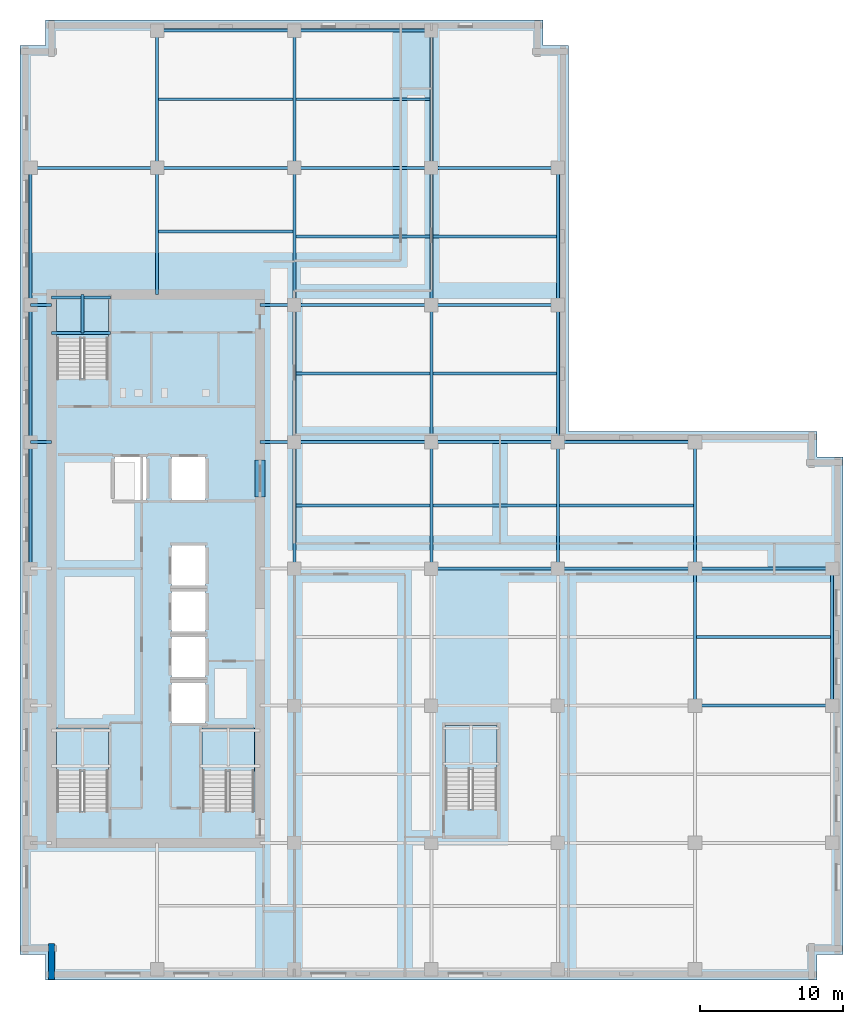
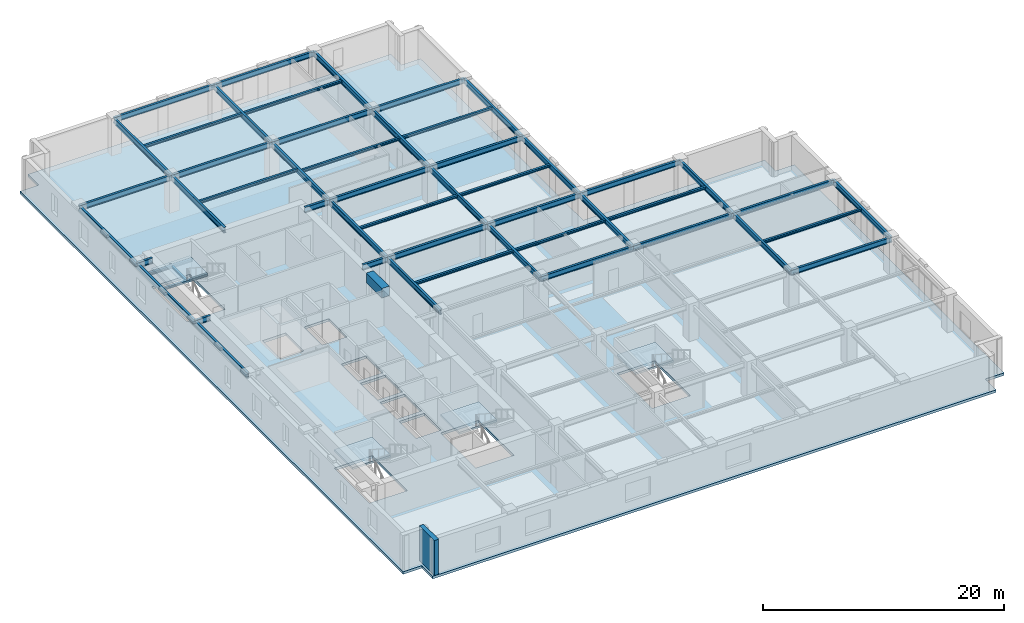
# One storey, part 2 of 12: 53 beams, 5 slabs, 1 wall, 4 elements without a shape of their own.
"""IFC4 building model written with IfcOpenShell, lengths in metres."""

from ifc_helpers import new_model, si_unit, direction, frame, frame_2d, origin, origin_2d, place, context, subcontext, project, spatial, polyline, rectangle, i_section, outline, extrude, material, layer, layer_set, material_profile, profile_set, type_object, element, aggregate, save


model = new_model("IFC4")

# Units and contexts
model_context = context("Model", 3, precision=1e-05, world=origin(), true_north=direction((0.0, 1.0)))
body_context = subcontext(model_context, "Body", "Model", "MODEL_VIEW")
ifc_project = project(units=[si_unit("LENGTHUNIT", "METRE"), si_unit("AREAUNIT", "SQUARE_METRE"), si_unit("VOLUMEUNIT", "CUBIC_METRE"), si_unit("PLANEANGLEUNIT", "RADIAN"), si_unit("MASSUNIT", "GRAM", prefix="KILO")], contexts=[model_context])

# Site, building, storey
site_placement = place(None, origin())
site = spatial("IfcSite", under=ifc_project, at=site_placement, CompositionType="ELEMENT")
building_placement = place(site_placement, origin())
building = spatial("IfcBuilding", under=site, at=building_placement, Name="Norrvale University Quadrangle", CompositionType="ELEMENT")
storey_placement = place(building_placement, frame((0.0, 0.0, 186.39990234375)))
storey = spatial("IfcBuildingStorey", under=building, at=storey_placement, Name="L47", CompositionType="ELEMENT", Elevation=186.39990234375)

# Beams
ifc_material_1 = material(Name="Concrete C80/95", Category="concrete")
ifc_material_profile_1 = material_profile(ifc_material_1, rectangle(XDim=0.699951171875, YDim=0.949951171875, at=origin_2d()), Name="Concrete C80/95")
ifc_profile_set_1 = profile_set([ifc_material_profile_1], Name="Concrete C80/95")
beam_type_1 = type_object("IfcBeamType", Name="Beam Core Link 700x950", PredefinedType="LINTEL", material=ifc_profile_set_1)
beam_1_placement = place(storey_placement, frame((16.800048828125, 33.800048828125, 3.065185546875), z_axis=(0.0, 1.0, 0.0), x_axis=(-1.0, 0.0, 0.0)))
element("IfcBeam", 1, at=beam_1_placement, inside=storey, type_object=beam_type_1, Name="Core Coupling Lintel Beam L47-2", PredefinedType="LINTEL", context=body_context, shape_type="SweptSolid", body=[
    extrude(rectangle(XDim=0.699951171875, YDim=0.949951171875, at=origin_2d()), origin(), (0.0, 0.0, 1.0), 2.599853515625),
])
ifc_material_2 = material(Name="Steel 350W", Category="steel")
ifc_material_profile_2 = material_profile(ifc_material_2, i_section(OverallWidth=0.208984375, OverallDepth=0.532958984375, WebThickness=0.01025390625, FlangeThickness=0.015625, FilletRadius=0.013916015625, at=origin_2d()), Name="Steel 350W")
ifc_profile_set_2 = profile_set([ifc_material_profile_2], Name="Steel 350W")
beam_type_2 = type_object("IfcBeamType", Name="Beam Floor W530x92", PredefinedType="JOIST", material=ifc_profile_set_2)
beam_2_placement = place(storey_placement, frame((47.25, 19.199951171875, 3.273681640625), z_axis=(1.0, 0.0, 0.0), x_axis=(0.0, 1.0, 0.0)))
element("IfcBeam", 2, at=beam_2_placement, inside=storey, type_object=beam_type_2, Name="Beam Floor W530x92 BM-L47-GX012", PredefinedType="JOIST", context=body_context, shape_type="SweptSolid", body=[
    extrude(i_section(OverallWidth=0.208984375, OverallDepth=0.532958984375, WebThickness=0.01025390625, FlangeThickness=0.015625, FilletRadius=0.013916015625, at=origin_2d()), origin(), (0.0, 0.0, 1.0), 9.60009765625),
])
beam_3_placement = place(storey_placement, frame((28.800048828125, 28.800048828125, 3.273681640625), z_axis=(1.0, 0.0, 0.0), x_axis=(0.0, 1.0, 0.0)))
element("IfcBeam", 3, at=beam_3_placement, inside=storey, type_object=beam_type_2, Name="Beam Floor W530x92 BM-L47-GX014", PredefinedType="JOIST", context=body_context, shape_type="SweptSolid", body=[
    extrude(i_section(OverallWidth=0.208984375, OverallDepth=0.532958984375, WebThickness=0.01025390625, FlangeThickness=0.015625, FilletRadius=0.013916015625, at=origin_2d()), origin(), (0.0, 0.0, 1.0), 8.849853515625),
])
for number, where, z_axis, x_axis, name in (
    (4, (37.64990234375, 28.800048828125, 3.273681640625), (1.0, 0.0, 0.0), (0.0, 1.0, 0.0), "Beam Floor W530x92 BM-L47-GX015"),
    (5, (47.25, 28.800048828125, 3.273681640625), (1.0, 0.0, 0.0), (0.0, 1.0, 0.0), "Beam Floor W530x92 BM-L47-GX016"),
    (6, (19.199951171875, 37.64990234375, 3.273681640625), (1.0, 0.0, 0.0), (0.0, 1.0, 0.0), "Beam Floor W530x92 BM-L47-GX017"),
):
    element("IfcBeam", number, at=place(storey_placement, frame(where, z_axis=z_axis, x_axis=x_axis)), inside=storey, type_object=beam_type_2, Name=name, PredefinedType="JOIST", context=body_context, shape_type="SweptSolid", body=[
        extrude(i_section(OverallWidth=0.208984375, OverallDepth=0.532958984375, WebThickness=0.01025390625, FlangeThickness=0.015625, FilletRadius=0.013916015625, at=origin_2d()), origin(), (0.0, 0.0, 1.0), 9.60009765625),
    ])
beam_4_placement = place(storey_placement, frame((28.800048828125, 37.64990234375, 3.273681640625), z_axis=(1.0, 0.0, 0.0), x_axis=(0.0, 1.0, 0.0)))
element("IfcBeam", 7, at=beam_4_placement, inside=storey, type_object=beam_type_2, Name="Beam Floor W530x92 BM-L47-GX018", PredefinedType="JOIST", context=body_context, shape_type="SweptSolid", body=[
    extrude(i_section(OverallWidth=0.208984375, OverallDepth=0.532958984375, WebThickness=0.01025390625, FlangeThickness=0.015625, FilletRadius=0.013916015625, at=origin_2d()), origin(), (0.0, 0.0, 1.0), 8.849853515625),
])
for number, where, z_axis, x_axis, name in (
    (8, (37.64990234375, 37.64990234375, 3.273681640625), (1.0, 0.0, 0.0), (0.0, 1.0, 0.0), "Beam Floor W530x92 BM-L47-GX019"),
    (9, (19.199951171875, 47.25, 3.273681640625), (1.0, 0.0, 0.0), (0.0, 1.0, 0.0), "Beam Floor W530x92 BM-L47-GX020"),
):
    element("IfcBeam", number, at=place(storey_placement, frame(where, z_axis=z_axis, x_axis=x_axis)), inside=storey, type_object=beam_type_2, Name=name, PredefinedType="JOIST", context=body_context, shape_type="SweptSolid", body=[
        extrude(i_section(OverallWidth=0.208984375, OverallDepth=0.532958984375, WebThickness=0.01025390625, FlangeThickness=0.015625, FilletRadius=0.013916015625, at=origin_2d()), origin(), (0.0, 0.0, 1.0), 9.60009765625),
    ])
beam_5_placement = place(storey_placement, frame((28.800048828125, 47.25, 3.273681640625), z_axis=(1.0, 0.0, 0.0), x_axis=(0.0, 1.0, 0.0)))
element("IfcBeam", 10, at=beam_5_placement, inside=storey, type_object=beam_type_2, Name="Beam Floor W530x92 BM-L47-GX021", PredefinedType="JOIST", context=body_context, shape_type="SweptSolid", body=[
    extrude(i_section(OverallWidth=0.208984375, OverallDepth=0.532958984375, WebThickness=0.01025390625, FlangeThickness=0.015625, FilletRadius=0.013916015625, at=origin_2d()), origin(), (0.0, 0.0, 1.0), 8.849853515625),
])
beam_6_placement = place(storey_placement, frame((0.75, 56.85009765625, 3.273681640625), z_axis=(1.0, 0.0, 0.0), x_axis=(0.0, 1.0, 0.0)))
element("IfcBeam", 11, at=beam_6_placement, inside=storey, type_object=beam_type_2, Name="Beam Floor W530x92 BM-L47-GX022", PredefinedType="JOIST", context=body_context, shape_type="SweptSolid", body=[
    extrude(i_section(OverallWidth=0.208984375, OverallDepth=0.532958984375, WebThickness=0.01025390625, FlangeThickness=0.015625, FilletRadius=0.013916015625, at=origin_2d()), origin(), (0.0, 0.0, 1.0), 8.85009765625),
])
beam_7_placement = place(storey_placement, frame((9.60009765625, 56.85009765625, 3.273681640625), z_axis=(1.0, 0.0, 0.0), x_axis=(0.0, 1.0, 0.0)))
element("IfcBeam", 12, at=beam_7_placement, inside=storey, type_object=beam_type_2, Name="Beam Floor W530x92 BM-L47-GX023", PredefinedType="JOIST", context=body_context, shape_type="SweptSolid", body=[
    extrude(i_section(OverallWidth=0.208984375, OverallDepth=0.532958984375, WebThickness=0.01025390625, FlangeThickness=0.015625, FilletRadius=0.013916015625, at=origin_2d()), origin(), (0.0, 0.0, 1.0), 9.599853515625),
])
beam_8_placement = place(storey_placement, frame((19.199951171875, 56.85009765625, 3.273681640625), z_axis=(1.0, 0.0, 0.0), x_axis=(0.0, 1.0, 0.0)))
element("IfcBeam", 13, at=beam_8_placement, inside=storey, type_object=beam_type_2, Name="Beam Floor W530x92 BM-L47-GX024", PredefinedType="JOIST", context=body_context, shape_type="SweptSolid", body=[
    extrude(i_section(OverallWidth=0.208984375, OverallDepth=0.532958984375, WebThickness=0.01025390625, FlangeThickness=0.015625, FilletRadius=0.013916015625, at=origin_2d()), origin(), (0.0, 0.0, 1.0), 9.60009765625),
])
beam_9_placement = place(storey_placement, frame((28.800048828125, 56.85009765625, 3.273681640625), z_axis=(1.0, 0.0, 0.0), x_axis=(0.0, 1.0, 0.0)))
element("IfcBeam", 14, at=beam_9_placement, inside=storey, type_object=beam_type_2, Name="Beam Floor W530x92 BM-L47-GX025", PredefinedType="JOIST", context=body_context, shape_type="SweptSolid", body=[
    extrude(i_section(OverallWidth=0.208984375, OverallDepth=0.532958984375, WebThickness=0.01025390625, FlangeThickness=0.015625, FilletRadius=0.013916015625, at=origin_2d()), origin(), (0.0, 0.0, 1.0), 8.849853515625),
])
beam_10_placement = place(storey_placement, frame((9.60009765625, 66.449951171875, 3.273681640625), z_axis=(1.0, 0.0, 0.0), x_axis=(0.0, 1.0, 0.0)))
element("IfcBeam", 15, at=beam_10_placement, inside=storey, type_object=beam_type_2, Name="Beam Floor W530x92 BM-L47-GX026", PredefinedType="JOIST", context=body_context, shape_type="SweptSolid", body=[
    extrude(i_section(OverallWidth=0.208984375, OverallDepth=0.532958984375, WebThickness=0.01025390625, FlangeThickness=0.015625, FilletRadius=0.013916015625, at=origin_2d()), origin(), (0.0, 0.0, 1.0), 9.599853515625),
])
beam_11_placement = place(storey_placement, frame((19.199951171875, 66.449951171875, 3.273681640625), z_axis=(1.0, 0.0, 0.0), x_axis=(0.0, 1.0, 0.0)))
element("IfcBeam", 16, at=beam_11_placement, inside=storey, type_object=beam_type_2, Name="Beam Floor W530x92 BM-L47-GX027", PredefinedType="JOIST", context=body_context, shape_type="SweptSolid", body=[
    extrude(i_section(OverallWidth=0.208984375, OverallDepth=0.532958984375, WebThickness=0.01025390625, FlangeThickness=0.015625, FilletRadius=0.013916015625, at=origin_2d()), origin(), (0.0, 0.0, 1.0), 9.60009765625),
])
beam_12_placement = place(storey_placement, frame((0.75, 28.800048828125, 3.273681640625), z_axis=(0.0, 1.0, 0.0), x_axis=(-1.0, 0.0, 0.0)))
element("IfcBeam", 17, at=beam_12_placement, inside=storey, type_object=beam_type_2, Name="Beam Floor W530x92 BM-L47-GY030", PredefinedType="JOIST", context=body_context, shape_type="SweptSolid", body=[
    extrude(i_section(OverallWidth=0.208984375, OverallDepth=0.532958984375, WebThickness=0.01025390625, FlangeThickness=0.015625, FilletRadius=0.013916015625, at=origin_2d()), origin(), (0.0, 0.0, 1.0), 8.849853515625),
])
for number, where, z_axis, x_axis, name in (
    (18, (0.75, 37.64990234375, 3.273681640625), (0.0, 1.0, 0.0), (-1.0, 0.0, 0.0), "Beam Floor W530x92 BM-L47-GY031"),
    (19, (0.75, 47.25, 3.273681640625), (0.0, 1.0, 0.0), (-1.0, 0.0, 0.0), "Beam Floor W530x92 BM-L47-GY032"),
):
    element("IfcBeam", number, at=place(storey_placement, frame(where, z_axis=z_axis, x_axis=x_axis)), inside=storey, type_object=beam_type_2, Name=name, PredefinedType="JOIST", context=body_context, shape_type="SweptSolid", body=[
        extrude(i_section(OverallWidth=0.208984375, OverallDepth=0.532958984375, WebThickness=0.01025390625, FlangeThickness=0.015625, FilletRadius=0.013916015625, at=origin_2d()), origin(), (0.0, 0.0, 1.0), 9.60009765625),
    ])
beam_13_placement = place(storey_placement, frame((9.60009765625, 56.85009765625, 3.273681640625), z_axis=(0.0, 1.0, 0.0), x_axis=(-1.0, 0.0, 0.0)))
element("IfcBeam", 20, at=beam_13_placement, inside=storey, type_object=beam_type_2, Name="Beam Floor W530x92 BM-L47-GY033", PredefinedType="JOIST", context=body_context, shape_type="SweptSolid", body=[
    extrude(i_section(OverallWidth=0.208984375, OverallDepth=0.532958984375, WebThickness=0.01025390625, FlangeThickness=0.015625, FilletRadius=0.013916015625, at=origin_2d()), origin(), (0.0, 0.0, 1.0), 9.599853515625),
])
beam_14_placement = place(storey_placement, frame((19.199951171875, 28.800048828125, 3.273681640625), z_axis=(0.0, 1.0, 0.0), x_axis=(-1.0, 0.0, 0.0)))
element("IfcBeam", 21, at=beam_14_placement, inside=storey, type_object=beam_type_2, Name="Beam Floor W530x92 BM-L47-GY037", PredefinedType="JOIST", context=body_context, shape_type="SweptSolid", body=[
    extrude(i_section(OverallWidth=0.208984375, OverallDepth=0.532958984375, WebThickness=0.01025390625, FlangeThickness=0.015625, FilletRadius=0.013916015625, at=origin_2d()), origin(), (0.0, 0.0, 1.0), 8.849853515625),
])
for number, where, z_axis, x_axis, name in (
    (22, (19.199951171875, 37.64990234375, 3.273681640625), (0.0, 1.0, 0.0), (-1.0, 0.0, 0.0), "Beam Floor W530x92 BM-L47-GY038"),
    (23, (19.199951171875, 47.25, 3.273681640625), (0.0, 1.0, 0.0), (-1.0, 0.0, 0.0), "Beam Floor W530x92 BM-L47-GY039"),
):
    element("IfcBeam", number, at=place(storey_placement, frame(where, z_axis=z_axis, x_axis=x_axis)), inside=storey, type_object=beam_type_2, Name=name, PredefinedType="JOIST", context=body_context, shape_type="SweptSolid", body=[
        extrude(i_section(OverallWidth=0.208984375, OverallDepth=0.532958984375, WebThickness=0.01025390625, FlangeThickness=0.015625, FilletRadius=0.013916015625, at=origin_2d()), origin(), (0.0, 0.0, 1.0), 9.60009765625),
    ])
beam_15_placement = place(storey_placement, frame((19.199951171875, 56.85009765625, 3.273681640625), z_axis=(0.0, 1.0, 0.0), x_axis=(-1.0, 0.0, 0.0)))
element("IfcBeam", 24, at=beam_15_placement, inside=storey, type_object=beam_type_2, Name="Beam Floor W530x92 BM-L47-GY040", PredefinedType="JOIST", context=body_context, shape_type="SweptSolid", body=[
    extrude(i_section(OverallWidth=0.208984375, OverallDepth=0.532958984375, WebThickness=0.01025390625, FlangeThickness=0.015625, FilletRadius=0.013916015625, at=origin_2d()), origin(), (0.0, 0.0, 1.0), 9.599853515625),
])
beam_16_placement = place(storey_placement, frame((28.800048828125, 28.800048828125, 3.273681640625), z_axis=(0.0, 1.0, 0.0), x_axis=(-1.0, 0.0, 0.0)))
element("IfcBeam", 25, at=beam_16_placement, inside=storey, type_object=beam_type_2, Name="Beam Floor W530x92 BM-L47-GY044", PredefinedType="JOIST", context=body_context, shape_type="SweptSolid", body=[
    extrude(i_section(OverallWidth=0.208984375, OverallDepth=0.532958984375, WebThickness=0.01025390625, FlangeThickness=0.015625, FilletRadius=0.013916015625, at=origin_2d()), origin(), (0.0, 0.0, 1.0), 8.849853515625),
])
for number, where, z_axis, x_axis, name in (
    (26, (28.800048828125, 37.64990234375, 3.273681640625), (0.0, 1.0, 0.0), (-1.0, 0.0, 0.0), "Beam Floor W530x92 BM-L47-GY045"),
    (27, (28.800048828125, 47.25, 3.273681640625), (0.0, 1.0, 0.0), (-1.0, 0.0, 0.0), "Beam Floor W530x92 BM-L47-GY046"),
):
    element("IfcBeam", number, at=place(storey_placement, frame(where, z_axis=z_axis, x_axis=x_axis)), inside=storey, type_object=beam_type_2, Name=name, PredefinedType="JOIST", context=body_context, shape_type="SweptSolid", body=[
        extrude(i_section(OverallWidth=0.208984375, OverallDepth=0.532958984375, WebThickness=0.01025390625, FlangeThickness=0.015625, FilletRadius=0.013916015625, at=origin_2d()), origin(), (0.0, 0.0, 1.0), 9.60009765625),
    ])
beam_17_placement = place(storey_placement, frame((28.800048828125, 56.85009765625, 3.273681640625), z_axis=(0.0, 1.0, 0.0), x_axis=(-1.0, 0.0, 0.0)))
element("IfcBeam", 28, at=beam_17_placement, inside=storey, type_object=beam_type_2, Name="Beam Floor W530x92 BM-L47-GY047", PredefinedType="JOIST", context=body_context, shape_type="SweptSolid", body=[
    extrude(i_section(OverallWidth=0.208984375, OverallDepth=0.532958984375, WebThickness=0.01025390625, FlangeThickness=0.015625, FilletRadius=0.013916015625, at=origin_2d()), origin(), (0.0, 0.0, 1.0), 9.599853515625),
])
beam_18_placement = place(storey_placement, frame((37.64990234375, 28.800048828125, 3.273681640625), z_axis=(0.0, 1.0, 0.0), x_axis=(-1.0, 0.0, 0.0)))
element("IfcBeam", 29, at=beam_18_placement, inside=storey, type_object=beam_type_2, Name="Beam Floor W530x92 BM-L47-GY051", PredefinedType="JOIST", context=body_context, shape_type="SweptSolid", body=[
    extrude(i_section(OverallWidth=0.208984375, OverallDepth=0.532958984375, WebThickness=0.01025390625, FlangeThickness=0.015625, FilletRadius=0.013916015625, at=origin_2d()), origin(), (0.0, 0.0, 1.0), 8.849853515625),
])
for number, where, z_axis, x_axis, name in (
    (30, (37.64990234375, 37.64990234375, 3.273681640625), (0.0, 1.0, 0.0), (-1.0, 0.0, 0.0), "Beam Floor W530x92 BM-L47-GY052"),
    (31, (37.64990234375, 47.25, 3.273681640625), (0.0, 1.0, 0.0), (-1.0, 0.0, 0.0), "Beam Floor W530x92 BM-L47-GY053"),
    (32, (47.25, 19.199951171875, 3.273681640625), (0.0, 1.0, 0.0), (-1.0, 0.0, 0.0), "Beam Floor W530x92 BM-L47-GY056"),
):
    element("IfcBeam", number, at=place(storey_placement, frame(where, z_axis=z_axis, x_axis=x_axis)), inside=storey, type_object=beam_type_2, Name=name, PredefinedType="JOIST", context=body_context, shape_type="SweptSolid", body=[
        extrude(i_section(OverallWidth=0.208984375, OverallDepth=0.532958984375, WebThickness=0.01025390625, FlangeThickness=0.015625, FilletRadius=0.013916015625, at=origin_2d()), origin(), (0.0, 0.0, 1.0), 9.60009765625),
    ])
beam_19_placement = place(storey_placement, frame((47.25, 28.800048828125, 3.273681640625), z_axis=(0.0, 1.0, 0.0), x_axis=(-1.0, 0.0, 0.0)))
element("IfcBeam", 33, at=beam_19_placement, inside=storey, type_object=beam_type_2, Name="Beam Floor W530x92 BM-L47-GY057", PredefinedType="JOIST", context=body_context, shape_type="SweptSolid", body=[
    extrude(i_section(OverallWidth=0.208984375, OverallDepth=0.532958984375, WebThickness=0.01025390625, FlangeThickness=0.015625, FilletRadius=0.013916015625, at=origin_2d()), origin(), (0.0, 0.0, 1.0), 8.849853515625),
])
beam_20_placement = place(storey_placement, frame((56.85009765625, 19.199951171875, 3.273681640625), z_axis=(0.0, 1.0, 0.0), x_axis=(-1.0, 0.0, 0.0)))
element("IfcBeam", 34, at=beam_20_placement, inside=storey, type_object=beam_type_2, Name="Beam Floor W530x92 BM-L47-GY059", PredefinedType="JOIST", context=body_context, shape_type="SweptSolid", body=[
    extrude(i_section(OverallWidth=0.208984375, OverallDepth=0.532958984375, WebThickness=0.01025390625, FlangeThickness=0.015625, FilletRadius=0.013916015625, at=origin_2d()), origin(), (0.0, 0.0, 1.0), 9.60009765625),
])
beam_21_placement = place(storey_placement, frame((0.75, 37.64990234375, 3.273681640625), z_axis=(1.0, 0.0, 0.0), x_axis=(0.0, 1.0, 0.0)))
element("IfcBeam", 35, at=beam_21_placement, inside=storey, type_object=beam_type_2, Name="Beam Floor W530x92 BM-L47-GCW066", PredefinedType="JOIST", context=body_context, shape_type="SweptSolid", body=[
    extrude(i_section(OverallWidth=0.208984375, OverallDepth=0.532958984375, WebThickness=0.01025390625, FlangeThickness=0.015625, FilletRadius=0.013916015625, at=origin_2d()), origin(), (0.0, 0.0, 1.0), 1.449951171875),
])
beam_22_placement = place(storey_placement, frame((16.800048828125, 37.64990234375, 3.273681640625), z_axis=(1.0, 0.0, 0.0), x_axis=(0.0, 1.0, 0.0)))
element("IfcBeam", 36, at=beam_22_placement, inside=storey, type_object=beam_type_2, Name="Beam Floor W530x92 BM-L47-GCE067", PredefinedType="JOIST", context=body_context, shape_type="SweptSolid", body=[
    extrude(i_section(OverallWidth=0.208984375, OverallDepth=0.532958984375, WebThickness=0.01025390625, FlangeThickness=0.015625, FilletRadius=0.013916015625, at=origin_2d()), origin(), (0.0, 0.0, 1.0), 2.39990234375),
])
beam_23_placement = place(storey_placement, frame((0.75, 47.25, 3.273681640625), z_axis=(1.0, 0.0, 0.0), x_axis=(0.0, 1.0, 0.0)))
element("IfcBeam", 37, at=beam_23_placement, inside=storey, type_object=beam_type_2, Name="Beam Floor W530x92 BM-L47-GCW068", PredefinedType="JOIST", context=body_context, shape_type="SweptSolid", body=[
    extrude(i_section(OverallWidth=0.208984375, OverallDepth=0.532958984375, WebThickness=0.01025390625, FlangeThickness=0.015625, FilletRadius=0.013916015625, at=origin_2d()), origin(), (0.0, 0.0, 1.0), 1.449951171875),
])
beam_24_placement = place(storey_placement, frame((16.800048828125, 47.25, 3.273681640625), z_axis=(1.0, 0.0, 0.0), x_axis=(0.0, 1.0, 0.0)))
element("IfcBeam", 38, at=beam_24_placement, inside=storey, type_object=beam_type_2, Name="Beam Floor W530x92 BM-L47-GCE069", PredefinedType="JOIST", context=body_context, shape_type="SweptSolid", body=[
    extrude(i_section(OverallWidth=0.208984375, OverallDepth=0.532958984375, WebThickness=0.01025390625, FlangeThickness=0.015625, FilletRadius=0.013916015625, at=origin_2d()), origin(), (0.0, 0.0, 1.0), 2.39990234375),
])
beam_25_placement = place(storey_placement, frame((9.60009765625, 48.0, 3.273681640625), z_axis=(0.0, 1.0, 0.0), x_axis=(-1.0, 0.0, 0.0)))
element("IfcBeam", 39, at=beam_25_placement, inside=storey, type_object=beam_type_2, Name="Beam Floor W530x92 BM-L47-GCN091", PredefinedType="JOIST", context=body_context, shape_type="SweptSolid", body=[
    extrude(i_section(OverallWidth=0.208984375, OverallDepth=0.532958984375, WebThickness=0.01025390625, FlangeThickness=0.015625, FilletRadius=0.013916015625, at=origin_2d()), origin(), (0.0, 0.0, 1.0), 8.85009765625),
])
ifc_material_profile_3 = material_profile(ifc_material_2, i_section(OverallWidth=0.201904296875, OverallDepth=0.2470703125, WebThickness=0.00732421875, FlangeThickness=0.010986328125, FilletRadius=0.011962890625, at=origin_2d()), Name="Steel 350W")
ifc_profile_set_3 = profile_set([ifc_material_profile_3], Name="Steel 350W")
beam_type_3 = type_object("IfcBeamType", Name="Beam Stair W250x49", PredefinedType="BEAM", material=ifc_profile_set_3)
beam_26_placement = place(storey_placement, frame((9.70458984375, 61.64990234375, 3.41650390625), z_axis=(1.0, 0.0, 0.0), x_axis=(0.0, 1.0, 0.0)))
element("IfcBeam", 40, at=beam_26_placement, inside=storey, type_object=beam_type_3, Name="Beam Stair W250x49 BM-L47-J070", PredefinedType="BEAM", context=body_context, shape_type="SweptSolid", body=[
    extrude(i_section(OverallWidth=0.201904296875, OverallDepth=0.2470703125, WebThickness=0.00732421875, FlangeThickness=0.010986328125, FilletRadius=0.011962890625, at=origin_2d()), origin(), (0.0, 0.0, 1.0), 9.390869140625),
])
for number, where, z_axis, x_axis, name in (
    (41, (19.304443359375, 33.22509765625, 3.41650390625), (1.0, 0.0, 0.0), (0.0, 1.0, 0.0), "Beam Stair W250x49 BM-L47-J074"),
    (42, (19.304443359375, 42.449951171875, 3.41650390625), (1.0, 0.0, 0.0), (0.0, 1.0, 0.0), "Beam Stair W250x49 BM-L47-J075"),
    (43, (19.304443359375, 52.050048828125, 3.41650390625), (1.0, 0.0, 0.0), (0.0, 1.0, 0.0), "Beam Stair W250x49 BM-L47-J076"),
    (44, (19.304443359375, 61.64990234375, 3.41650390625), (1.0, 0.0, 0.0), (0.0, 1.0, 0.0), "Beam Stair W250x49 BM-L47-J077"),
):
    element("IfcBeam", number, at=place(storey_placement, frame(where, z_axis=z_axis, x_axis=x_axis)), inside=storey, type_object=beam_type_3, Name=name, PredefinedType="BEAM", context=body_context, shape_type="SweptSolid", body=[
        extrude(i_section(OverallWidth=0.201904296875, OverallDepth=0.2470703125, WebThickness=0.00732421875, FlangeThickness=0.010986328125, FilletRadius=0.011962890625, at=origin_2d()), origin(), (0.0, 0.0, 1.0), 9.39111328125),
    ])
for number, where, z_axis, x_axis, name in (
    (45, (28.904541015625, 33.22509765625, 3.41650390625), (1.0, 0.0, 0.0), (0.0, 1.0, 0.0), "Beam Stair W250x49 BM-L47-J080"),
    (46, (28.904541015625, 42.449951171875, 3.41650390625), (1.0, 0.0, 0.0), (0.0, 1.0, 0.0), "Beam Stair W250x49 BM-L47-J081"),
    (47, (28.904541015625, 52.050048828125, 3.41650390625), (1.0, 0.0, 0.0), (0.0, 1.0, 0.0), "Beam Stair W250x49 BM-L47-J082"),
):
    element("IfcBeam", number, at=place(storey_placement, frame(where, z_axis=z_axis, x_axis=x_axis)), inside=storey, type_object=beam_type_3, Name=name, PredefinedType="BEAM", context=body_context, shape_type="SweptSolid", body=[
        extrude(i_section(OverallWidth=0.201904296875, OverallDepth=0.2470703125, WebThickness=0.00732421875, FlangeThickness=0.010986328125, FilletRadius=0.011962890625, at=origin_2d()), origin(), (0.0, 0.0, 1.0), 8.640869140625),
    ])
for number, where, z_axis, x_axis, name in (
    (48, (37.75439453125, 33.22509765625, 3.41650390625), (1.0, 0.0, 0.0), (0.0, 1.0, 0.0), "Beam Stair W250x49 BM-L47-J086"),
    (49, (47.3544921875, 24.0, 3.41650390625), (1.0, 0.0, 0.0), (0.0, 1.0, 0.0), "Beam Stair W250x49 BM-L47-J088"),
):
    element("IfcBeam", number, at=place(storey_placement, frame(where, z_axis=z_axis, x_axis=x_axis)), inside=storey, type_object=beam_type_3, Name=name, PredefinedType="BEAM", context=body_context, shape_type="SweptSolid", body=[
        extrude(i_section(OverallWidth=0.201904296875, OverallDepth=0.2470703125, WebThickness=0.00732421875, FlangeThickness=0.010986328125, FilletRadius=0.011962890625, at=origin_2d()), origin(), (0.0, 0.0, 1.0), 9.39111328125),
    ])
beam_27_placement = place(storey_placement, frame((9.70458984375, 52.39990234375, 3.41650390625), z_axis=(1.0, 0.0, 0.0), x_axis=(0.0, 1.0, 0.0)))
element("IfcBeam", 50, at=beam_27_placement, inside=storey, type_object=beam_type_3, Name="Beam Stair W250x49 BM-L47-JCN092", PredefinedType="BEAM", context=body_context, shape_type="SweptSolid", body=[
    extrude(i_section(OverallWidth=0.201904296875, OverallDepth=0.2470703125, WebThickness=0.00732421875, FlangeThickness=0.010986328125, FilletRadius=0.011962890625, at=origin_2d()), origin(), (0.0, 0.0, 1.0), 9.390869140625),
])
for number, where, z_axis, x_axis, name in (
    (51, (2.199951171875, 45.2900390625, 1.57666015625), (1.0, 0.0, 0.0), (0.0, 1.0, 0.0), "Stair Mid-Landing Front Beam ST-02 L47"),
    (52, (2.199951171875, 47.77001953125, 1.57666015625), (1.0, 0.0, 0.0), (0.0, 1.0, 0.0), "Stair Mid-Landing Rear Beam ST-02 L47"),
):
    element("IfcBeam", number, at=place(storey_placement, frame(where, z_axis=z_axis, x_axis=x_axis)), inside=storey, type_object=beam_type_3, Name=name, PredefinedType="BEAM", context=body_context, shape_type="SweptSolid", body=[
        extrude(i_section(OverallWidth=0.201904296875, OverallDepth=0.2470703125, WebThickness=0.00732421875, FlangeThickness=0.010986328125, FilletRadius=0.011962890625, at=origin_2d()), origin(), (0.0, 0.0, 1.0), 4.14013671875),
    ])
ifc_material_profile_4 = material_profile(ifc_material_2, i_section(OverallWidth=0.202880859375, OverallDepth=0.202880859375, WebThickness=0.007080078125, FlangeThickness=0.010986328125, FilletRadius=0.010009765625, at=origin_2d()), Name="Steel 350W")
ifc_profile_set_4 = profile_set([ifc_material_profile_4], Name="Steel 350W")
beam_type_4 = type_object("IfcBeamType", Name="Beam Trim W200x46", PredefinedType="BEAM", material=ifc_profile_set_4)
beam_28_placement = place(storey_placement, frame((4.375, 45.2900390625, 1.5986328125), z_axis=(0.0, 1.0, 0.0), x_axis=(-1.0, 0.0, 0.0)))
element("IfcBeam", 53, at=beam_28_placement, inside=storey, type_object=beam_type_4, Name="Stair Mid-Landing Cross Beam ST-02 L47", PredefinedType="BEAM", context=body_context, shape_type="SweptSolid", body=[
    extrude(i_section(OverallWidth=0.202880859375, OverallDepth=0.202880859375, WebThickness=0.007080078125, FlangeThickness=0.010986328125, FilletRadius=0.010009765625, at=origin_2d()), origin(), (0.0, 0.0, 1.0), 2.7099609375),
])

# Stair, slab
ifc_material_3 = material(Name="Concrete C40/50", Category="concrete")
stair_type = type_object("IfcStairType", Name="Stair Tower Typ 3800", PredefinedType="TWO_STRAIGHT_RUN_STAIR", material=ifc_material_3)
stair_1_placement = place(storey_placement, origin())
stair_1 = element("IfcStair", 54, at=stair_1_placement, inside=storey, type_object=stair_type, Name="Exit Stair ST-01 L47", PredefinedType="TWO_STRAIGHT_RUN_STAIR")
ifc_layer_1 = layer(ifc_material_3, 0.199951171875, Name="Concrete C40/50")
ifc_layer_set_1 = layer_set([ifc_layer_1], Name="Concrete C40/50")
slab_type_1 = type_object("IfcSlabType", Name="Slab Landing 200", PredefinedType="LANDING", material=ifc_layer_set_1)
slab_1_placement = place(storey_placement, frame((0.0, 0.0, 1.7001953125)))
slab_1 = element("IfcSlab", 55, at=slab_1_placement, type_object=slab_type_1, Name="Exit Stair ST-01 L47 Mid Landing", PredefinedType="LANDING", context=body_context, shape_type="SweptSolid", body=[
    extrude(outline(polyline([(2.550048828125, 14.590087890625), (6.199951171875, 14.590087890625), (6.199951171875, 17.64990234375), (2.550048828125, 17.64990234375), (2.550048828125, 14.590087890625)])), origin(), (0.0, 0.0, 1.0), 0.199951171875),
])
aggregate(stair_1, [slab_1])

stair_2_placement = place(storey_placement, origin())
stair_2 = element("IfcStair", 56, at=stair_2_placement, inside=storey, type_object=stair_type, Name="Exit Stair ST-02 L47", PredefinedType="TWO_STRAIGHT_RUN_STAIR")
slab_2_placement = place(storey_placement, frame((0.0, 0.0, 1.7001953125)))
slab_2 = element("IfcSlab", 57, at=slab_2_placement, type_object=slab_type_1, Name="Exit Stair ST-02 L47 Mid Landing", PredefinedType="LANDING", context=body_context, shape_type="SweptSolid", body=[
    extrude(outline(polyline([(2.550048828125, 44.889892578125), (6.199951171875, 44.889892578125), (6.199951171875, 47.949951171875), (2.550048828125, 47.949951171875), (2.550048828125, 44.889892578125)])), origin(), (0.0, 0.0, 1.0), 0.199951171875),
])
aggregate(stair_2, [slab_2])

stair_3_placement = place(storey_placement, origin())
stair_3 = element("IfcStair", 58, at=stair_3_placement, inside=storey, type_object=stair_type, Name="Exit Stair ST-03 L47", PredefinedType="TWO_STRAIGHT_RUN_STAIR")
slab_3_placement = place(storey_placement, frame((0.0, 0.0, 1.7001953125)))
slab_3 = element("IfcSlab", 59, at=slab_3_placement, type_object=slab_type_1, Name="Exit Stair ST-03 L47 Mid Landing", PredefinedType="LANDING", context=body_context, shape_type="SweptSolid", body=[
    extrude(outline(polyline([(12.75, 14.590087890625), (16.39990234375, 14.590087890625), (16.39990234375, 17.64990234375), (12.75, 17.64990234375), (12.75, 14.590087890625)])), origin(), (0.0, 0.0, 1.0), 0.199951171875),
])
aggregate(stair_3, [slab_3])

stair_4_placement = place(storey_placement, origin())
stair_4 = element("IfcStair", 60, at=stair_4_placement, inside=storey, type_object=stair_type, Name="Exit Stair ST-04 L47", PredefinedType="TWO_STRAIGHT_RUN_STAIR")
slab_4_placement = place(storey_placement, frame((0.0, 0.0, 1.7001953125)))
slab_4 = element("IfcSlab", 61, at=slab_4_placement, type_object=slab_type_1, Name="Exit Stair ST-04 L47 Mid Landing", PredefinedType="LANDING", context=body_context, shape_type="SweptSolid", body=[
    extrude(outline(polyline([(29.75, 14.739990234375), (33.39990234375, 14.739990234375), (33.39990234375, 17.800048828125), (29.75, 17.800048828125), (29.75, 14.739990234375)])), origin(), (0.0, 0.0, 1.0), 0.199951171875),
])
aggregate(stair_4, [slab_4])

# Slab
ifc_layer_2 = layer(ifc_material_3, 0.260009765625, Name="Concrete C40/50")
ifc_layer_set_2 = layer_set([ifc_layer_2], Name="Concrete C40/50")
slab_type_2 = type_object("IfcSlabType", Name="Slab Tower Typ 260", PredefinedType="FLOOR", material=ifc_layer_set_2)
slab_5_placement = place(storey_placement, frame((0.0, 0.0, -0.260009765625)))
element("IfcSlab", 62, at=slab_5_placement, inside=storey, type_object=slab_type_2, Name="Tower L47 Floor Slab", PredefinedType="FLOOR", context=body_context, shape_type="SweptSolid", body=[
    extrude(outline(polyline([(1.800048828125, 0.0), (55.800048828125, 0.0), (55.800048828125, 1.800048828125), (57.60009765625, 1.800048828125), (57.60009765625, 36.60009765625), (55.800048828125, 36.60009765625), (55.800048828125, 38.39990234375), (38.39990234375, 38.39990234375), (38.39990234375, 65.39990234375), (36.60009765625, 65.39990234375), (36.60009765625, 67.199951171875), (1.800048828125, 67.199951171875), (1.800048828125, 65.39990234375), (0.0, 65.39990234375), (0.0, 1.800048828125), (1.800048828125, 1.800048828125), (1.800048828125, 0.0)]), holes=[polyline([(2.550048828125, 11.81005859375), (6.199951171875, 11.81005859375), (6.199951171875, 17.64990234375), (2.550048828125, 17.64990234375), (2.550048828125, 11.81005859375)]), polyline([(2.550048828125, 42.110107421875), (6.199951171875, 42.110107421875), (6.199951171875, 47.949951171875), (2.550048828125, 47.949951171875), (2.550048828125, 42.110107421875)]), polyline([(12.75, 11.81005859375), (16.39990234375, 11.81005859375), (16.39990234375, 17.64990234375), (12.75, 17.64990234375), (12.75, 11.81005859375)]), polyline([(29.75, 11.9599609375), (33.39990234375, 11.9599609375), (33.39990234375, 17.800048828125), (29.75, 17.800048828125), (29.75, 11.9599609375)]), polyline([(10.60009765625, 18.0), (13.0, 18.0), (13.0, 20.800048828125), (10.60009765625, 20.800048828125), (10.60009765625, 18.0)]), polyline([(10.60009765625, 21.199951171875), (13.0, 21.199951171875), (13.0, 24.0), (10.60009765625, 24.0), (10.60009765625, 21.199951171875)]), polyline([(10.60009765625, 24.39990234375), (13.0, 24.39990234375), (13.0, 27.199951171875), (10.60009765625, 27.199951171875), (10.60009765625, 24.39990234375)]), polyline([(10.60009765625, 27.60009765625), (13.0, 27.60009765625), (13.0, 30.39990234375), (10.60009765625, 30.39990234375), (10.60009765625, 27.60009765625)]), polyline([(6.60009765625, 33.60009765625), (8.85009765625, 33.60009765625), (8.85009765625, 36.60009765625), (6.60009765625, 36.60009765625), (6.60009765625, 33.60009765625)]), polyline([(10.60009765625, 33.60009765625), (13.0, 33.60009765625), (13.0, 36.60009765625), (10.60009765625, 36.60009765625), (10.60009765625, 33.60009765625)])]), origin(), (0.0, 0.0, 1.0), 0.260009765625),
])

# Wall
ifc_material_4 = material(Name="Buff Norman Clay Brick Masonry", Category="masonry")
ifc_layer_3 = layer(ifc_material_4, 0.419921875, Name="Buff Norman Clay Brick Masonry")
ifc_layer_set_3 = layer_set([ifc_layer_3], Name="Buff Norman Clay Brick Masonry")
wall_type = type_object("IfcWallType", Name="Wall Buff Brick 420", PredefinedType="SOLIDWALL", material=ifc_layer_set_3)
wall_placement = place(storey_placement, frame((2.18994140625, 2.5400390625, 0.0), z_axis=(0.0, 0.0, 1.0), x_axis=(0.0, -1.0, 0.0)))
element("IfcWall", 63, at=wall_placement, inside=storey, type_object=wall_type, Name="Exterior Brick Facade Wall L47-16.1", PredefinedType="SOLIDWALL", context=body_context, shape_type="SweptSolid", body=[
    extrude(rectangle(XDim=2.5, YDim=0.419921875, at=frame_2d((1.25, 0.0))), origin(), (0.0, 0.0, 1.0), 3.5400390625),
])

save(model, "model.ifc")
